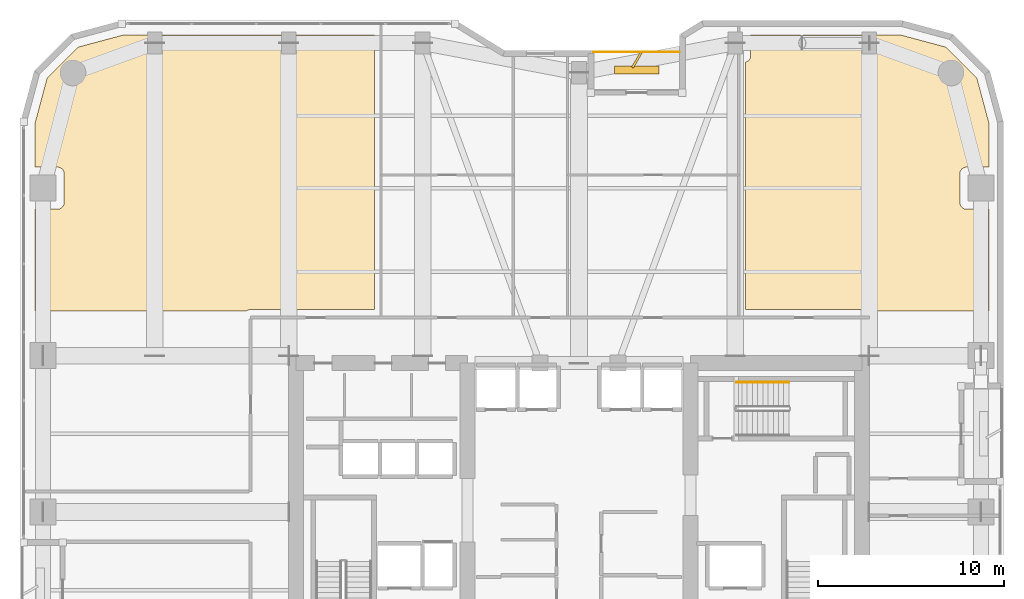
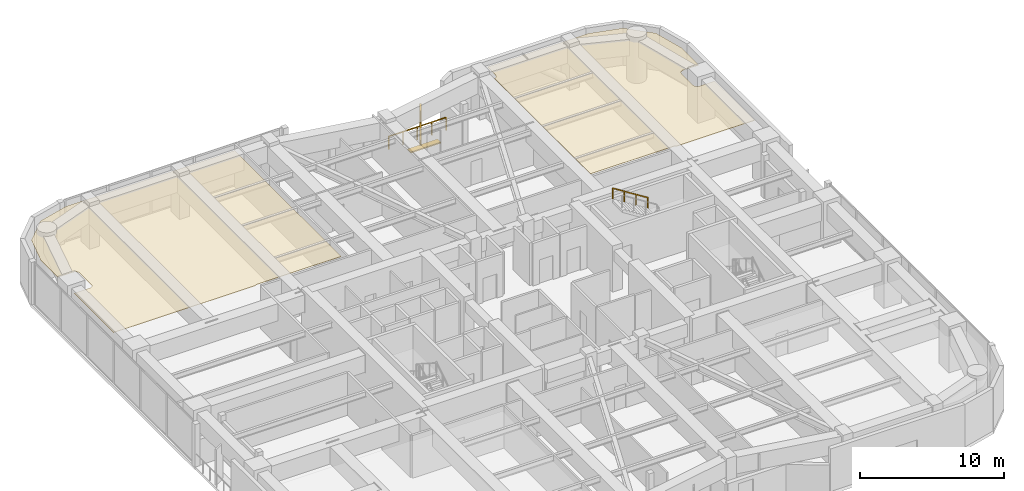
# One storey, part 25 of 25: 2 coverings, 2 railings, 2 shading devices.
"""IFC4 building model written with IfcOpenShell, lengths in metres."""

from ifc_helpers import new_model, si_unit, direction, frame, origin, origin_2d, place, context, subcontext, project, spatial, polyline, rectangle, outline, extrude, material, layer, layer_set, type_object, element, save


model = new_model("IFC4")

# Units and contexts
model_context = context("Model", 3, precision=1e-05, world=origin(), true_north=direction((0.0, 1.0)))
body_context = subcontext(model_context, "Body", "Model", "MODEL_VIEW")
ifc_project = project(units=[si_unit("LENGTHUNIT", "METRE"), si_unit("AREAUNIT", "SQUARE_METRE"), si_unit("VOLUMEUNIT", "CUBIC_METRE"), si_unit("PLANEANGLEUNIT", "RADIAN"), si_unit("MASSUNIT", "GRAM", prefix="KILO")], contexts=[model_context])

# Site, building, storey
site_placement = place(None, origin())
site = spatial("IfcSite", under=ifc_project, at=site_placement, CompositionType="ELEMENT")
building_placement = place(site_placement, origin())
building = spatial("IfcBuilding", under=site, at=building_placement, Name="Kiyonajd Concourse Tower", CompositionType="ELEMENT")
storey_placement = place(building_placement, frame((0.0, 0.0, 141.60009765625)))
storey = spatial("IfcBuildingStorey", under=building, at=storey_placement, Name="L36", CompositionType="ELEMENT", Elevation=141.60009765625)

# Coverings
ifc_material_1 = material(Name="Natural Oak Acoustic Timber Veneer", Category="wood")
ifc_layer = layer(ifc_material_1, 0.0400390625)
ifc_layer_set = layer_set([ifc_layer], Name="Natural Oak Acoustic Timber Veneer")
covering_type = type_object("IfcCoveringType", Name="CV-CLG-ACST", PredefinedType="CEILING", material=ifc_layer_set)
covering_1_placement = place(storey_placement, frame((0.0, 0.0, 3.419921875)))
element("IfcCovering", 1, at=covering_1_placement, inside=storey, type_object=covering_type, Name="L36-44 Room Acoustic Ceiling", PredefinedType="CEILING", context=body_context, shape_type="SweptSolid", body=[
    extrude(outline(polyline([(21.097900390625, 60.986083984375), (23.5009765625, 61.6298828125), (37.010009765625, 61.6298828125), (37.010009765625, 46.8798828125), (30.35009765625, 46.8798828125), (30.219970703125, 46.860107421875), (30.156982421875, 46.833984375), (30.10205078125, 46.800048828125), (18.77001953125, 46.800048828125), (18.77001953125, 52.27001953125), (19.97998046875, 52.27001953125), (20.048095703125, 52.277099609375), (20.14501953125, 52.31103515625), (20.201904296875, 52.34912109375), (20.2509765625, 52.39794921875), (20.2890625, 52.455078125), (20.31494140625, 52.51806640625), (20.330078125, 52.6201171875), (20.330078125, 54.179931640625), (20.31494140625, 54.281982421875), (20.2890625, 54.344970703125), (20.2509765625, 54.402099609375), (20.201904296875, 54.450927734375), (20.14501953125, 54.489013671875), (20.08203125, 54.514892578125), (20.013916015625, 54.528076171875), (18.77001953125, 54.530029296875), (18.77001953125, 56.89892578125), (19.4140625, 59.302001953125), (21.097900390625, 60.986083984375)])), origin(), (0.0, 0.0, 1.0), 0.0400390625),
])
covering_2_placement = place(storey_placement, frame((0.0, 0.0, 3.419921875)))
element("IfcCovering", 2, at=covering_2_placement, inside=storey, type_object=covering_type, Name="L36-50 Room Acoustic Ceiling", PredefinedType="CEILING", context=body_context, shape_type="SweptSolid", body=[
    extrude(outline(polyline([(57.22998046875, 61.6298828125), (65.299072265625, 61.6298828125), (67.701904296875, 60.986083984375), (69.385986328125, 59.302001953125), (70.030029296875, 56.89892578125), (70.030029296875, 54.530029296875), (68.785888671875, 54.528076171875), (68.718017578125, 54.514892578125), (68.655029296875, 54.489013671875), (68.597900390625, 54.450927734375), (68.549072265625, 54.402099609375), (68.510986328125, 54.344970703125), (68.485107421875, 54.281982421875), (68.469970703125, 54.179931640625), (68.471923828125, 52.5859375), (68.4970703125, 52.486083984375), (68.549072265625, 52.39794921875), (68.597900390625, 52.34912109375), (68.655029296875, 52.31103515625), (68.751953125, 52.277099609375), (68.820068359375, 52.27001953125), (70.030029296875, 52.27001953125), (70.030029296875, 46.800048828125), (63.847900390625, 46.800048828125), (63.79296875, 46.833984375), (63.72998046875, 46.860107421875), (63.60009765625, 46.8798828125), (56.9599609375, 46.8798828125), (56.9599609375, 60.179931640625), (57.044921875, 60.2109375), (57.126953125, 60.27294921875), (57.18896484375, 60.35498046875), (57.222900390625, 60.451904296875), (57.22998046875, 60.52001953125), (57.22998046875, 61.6298828125)])), origin(), (0.0, 0.0, 1.0), 0.0400390625),
])

# Railings
ifc_material_2 = material(Name="Thermally Broken Anodised Aluminium", Category="aluminium")
railing_type_1 = type_object("IfcRailingType", Name="RL-GRD-LOG", PredefinedType="GUARDRAIL", material=ifc_material_2)
railing_1_placement = place(storey_placement, frame((53.39990234375, 60.719970703125, 0.0)))
element("IfcRailing", 3, at=railing_1_placement, inside=storey, type_object=railing_type_1, Name="L36 Engawa Loggia Perimeter Guard LOG-N", PredefinedType="GUARDRAIL", context=body_context, shape_type="SweptSolid", body=[
    extrude(rectangle(XDim=0.048095703125, YDim=0.048095703125, at=origin_2d()), frame((0.0, 0.0, 1.076171875), z_axis=(-1.0, 0.0, 0.0), x_axis=(0.0, -1.0, 0.0)), (0.0, 0.0, 1.0), 4.599853515625),
    extrude(rectangle(XDim=0.0419921875, YDim=0.0419921875, at=origin_2d()), origin(), (0.0, 0.0, 1.0), 1.052001953125),
    extrude(rectangle(XDim=0.0419921875, YDim=0.0419921875, at=origin_2d()), frame((-1.14990234375, 0.0, 0.0)), (0.0, 0.0, 1.0), 1.052001953125),
    extrude(rectangle(XDim=0.0419921875, YDim=0.0419921875, at=origin_2d()), frame((-2.2998046875, 0.0, 0.0)), (0.0, 0.0, 1.0), 1.052001953125),
    extrude(rectangle(XDim=0.0419921875, YDim=0.0419921875, at=origin_2d()), frame((-3.449951171875, 0.0, 0.0)), (0.0, 0.0, 1.0), 1.052001953125),
    extrude(rectangle(XDim=0.0419921875, YDim=0.0419921875, at=origin_2d()), frame((-4.599853515625, 0.0, 0.0)), (0.0, 0.0, 1.0), 1.052001953125),
])
ifc_material_3 = material(Name="Brushed Stainless Steel Cab Assembly", Category="steel")
railing_type_2 = type_object("IfcRailingType", Name="RL-HND-900", PredefinedType="HANDRAIL", material=ifc_material_3)
railing_2_placement = place(storey_placement, frame((59.280029296875, 42.969970703125, 2.127197265625)))
element("IfcRailing", 4, at=railing_2_placement, inside=storey, type_object=railing_type_2, Name="L36 ST3 stair handrail 2", PredefinedType="HANDRAIL", context=body_context, shape_type="SweptSolid", body=[
    extrude(rectangle(XDim=0.048095703125, YDim=0.048095703125, at=origin_2d()), frame((0.0, 0.0, 0.8759765625), z_axis=(-0.844908973607, 0.0, 0.534910110503), x_axis=(0.0, -1.0, 0.0)), (0.0, 0.0, 1.0), 3.31396484375),
    extrude(rectangle(XDim=0.0419921875, YDim=0.0419921875, at=origin_2d()), origin(), (0.0, 0.0, 1.0), 0.851806640625),
    extrude(rectangle(XDim=0.0419921875, YDim=0.0419921875, at=origin_2d()), frame((-0.933349609375, 0.0, 0.5908203125)), (0.0, 0.0, 1.0), 0.851806640625),
    extrude(rectangle(XDim=0.0419921875, YDim=0.0419921875, at=origin_2d()), frame((-1.86669921875, 0.0, 1.181884765625)), (0.0, 0.0, 1.0), 0.851806640625),
    extrude(rectangle(XDim=0.0419921875, YDim=0.0419921875, at=origin_2d()), frame((-2.800048828125, 0.0, 1.772705078125)), (0.0, 0.0, 1.0), 0.851806640625),
])

# Shading devices
ifc_material_4 = material(Name="Precast concrete C50/60", Category="concrete")
shading_device_type_1 = type_object("IfcShadingDeviceType", Name="SH-FIN-900", PredefinedType="USERDEFINED", material=ifc_material_4)
shading_device_1_placement = place(storey_placement, frame((51.10009765625, 60.27001953125, 0.0), z_axis=(0.0, 0.0, 1.0), x_axis=(0.5, 0.866025403784, 0.0)))
element("IfcShadingDevice", 5, at=shading_device_1_placement, inside=storey, type_object=shading_device_type_1, Name="L36 Angled Koshi Solar Fin LOG-N", ObjectType="FIN", PredefinedType="USERDEFINED", context=body_context, shape_type="SweptSolid", body=[
    extrude(rectangle(XDim=0.89990234375, YDim=0.1201171875, at=origin_2d()), origin(), (0.0, 0.0, 1.0), 3.0),
])
shading_device_type_2 = type_object("IfcShadingDeviceType", Name="SH-LVR-600", PredefinedType="JALOUSIE", material=ifc_material_2)
shading_device_2_placement = place(storey_placement, frame((51.10009765625, 59.75, -0.000244140625), z_axis=(0.0, 0.0, 1.0), x_axis=(1.0, 0.0, 0.0)))
element("IfcShadingDevice", 6, at=shading_device_2_placement, inside=storey, type_object=shading_device_type_2, Name="L36 Loggia Threshold Louver LOG-N", PredefinedType="JALOUSIE", context=body_context, shape_type="SweptSolid", body=[
    extrude(rectangle(XDim=2.39990234375, YDim=0.449951171875, at=origin_2d()), origin(), (0.0, 0.0, 1.0), 0.10009765625),
])

save(model, "model.ifc")
